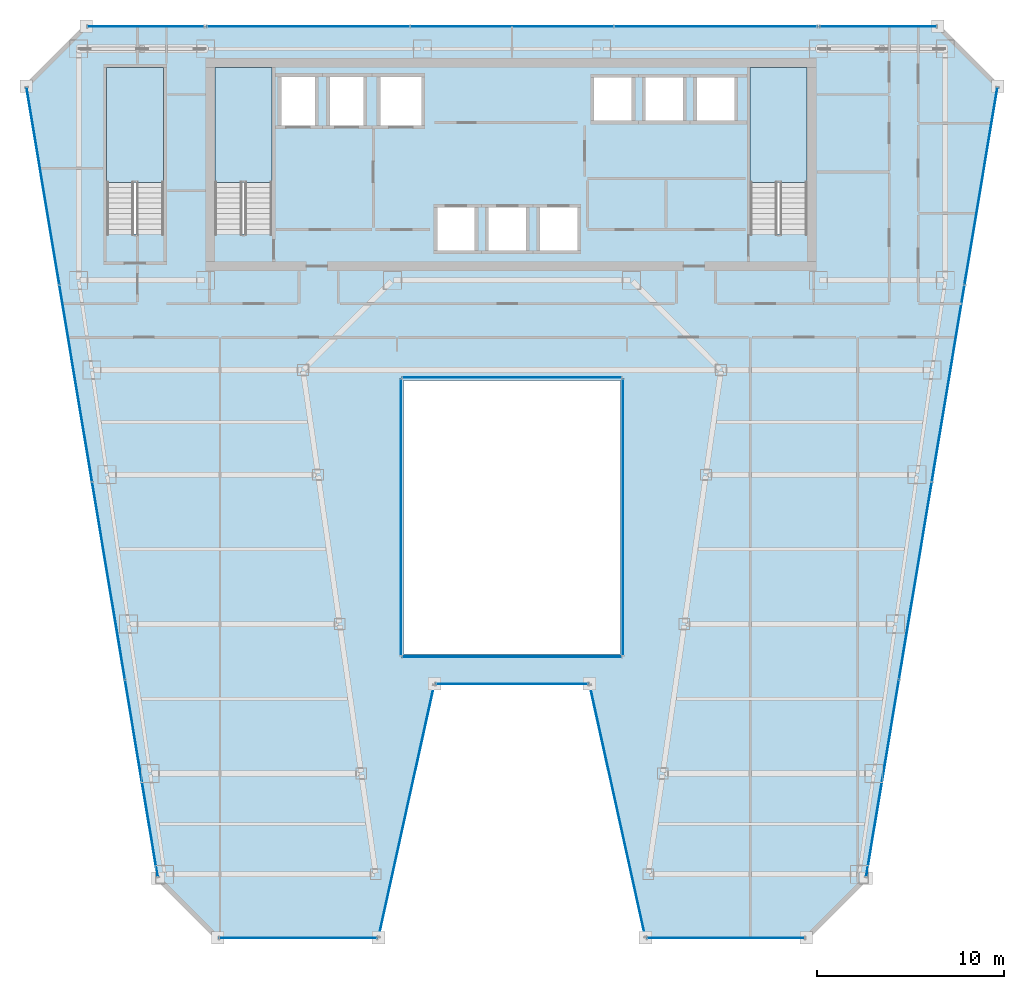
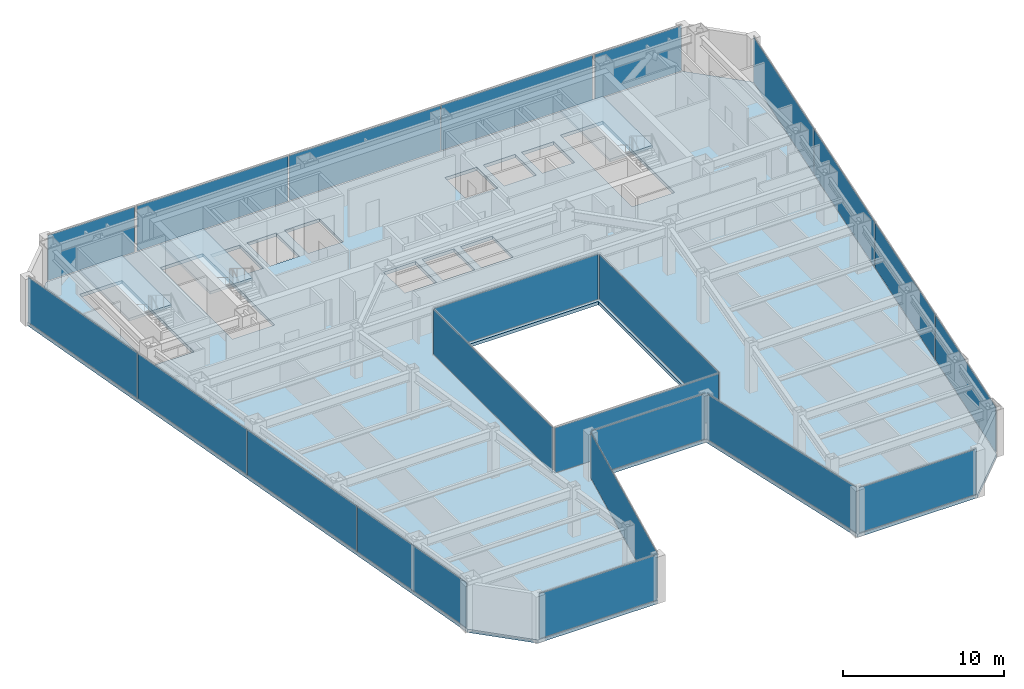
# One storey, part 29 of 36: 22 plates, 4 slabs, 17 elements without a shape of their own.
"""IFC4 building model written with IfcOpenShell, lengths in metres."""

from ifc_helpers import new_model, si_unit, direction, frame, origin, origin_2d, place, context, subcontext, project, spatial, polyline, rectangle, outline, extrude, material, layer, layer_set, type_object, element, aggregate, save


model = new_model("IFC4")

# Units and contexts
model_context = context("Model", 3, precision=1e-05, world=origin(), true_north=direction((0.0, 1.0)))
body_context = subcontext(model_context, "Body", "Model", "MODEL_VIEW")
ifc_project = project(units=[si_unit("LENGTHUNIT", "METRE"), si_unit("AREAUNIT", "SQUARE_METRE"), si_unit("VOLUMEUNIT", "CUBIC_METRE"), si_unit("PLANEANGLEUNIT", "RADIAN"), si_unit("MASSUNIT", "GRAM", prefix="KILO")], contexts=[model_context])

# Site, building, storey
site_placement = place(None, origin())
site = spatial("IfcSite", under=ifc_project, at=site_placement, CompositionType="ELEMENT")
building_placement = place(site_placement, origin())
building = spatial("IfcBuilding", under=site, at=building_placement, Name="Saevonmaru Cultural Tower", CompositionType="ELEMENT")
storey_placement = place(building_placement, frame((0.0, 0.0, 156.199951171875)))
storey = spatial("IfcBuildingStorey", under=building, at=storey_placement, Name="L34", CompositionType="ELEMENT", Elevation=156.199951171875)

# Curtain wall, plate
ifc_material_1 = material(Name="Satin Bronze Anodised Aluminium", Category="aluminium")
curtain_wall_type_1 = type_object("IfcCurtainWallType", Name="CW-ATR-GLZ", PredefinedType="NOTDEFINED", material=ifc_material_1)
curtain_wall_1_placement = place(storey_placement, origin())
curtain_wall_1 = element("IfcCurtainWall", 1, at=curtain_wall_1_placement, inside=storey, type_object=curtain_wall_type_1, Name="L34 Vertical Atrium Glazed Smoke Screen 1", PredefinedType="NOTDEFINED")
ifc_material_2 = material(Name="Fire-Rated Laminated Atrium Glass", Category="glass")
ifc_layer_1 = layer(ifc_material_2, 0.031982421875, Name="Fire-Rated Laminated Atrium Glass")
ifc_layer_set_1 = layer_set([ifc_layer_1], Name="Fire-Rated Laminated Atrium Glass")
plate_type_1 = type_object("IfcPlateType", Name="PN-GLZ-ATR-INT", PredefinedType="CURTAIN_PANEL", material=ifc_layer_set_1)
plate_1_placement = place(storey_placement, frame((30.0, 22.25, 0.067138671875), z_axis=(0.0, 0.0, 1.0), x_axis=(1.0, 0.0, 0.0)))
plate_1 = element("IfcPlate", 2, at=plate_1_placement, type_object=plate_type_1, Name="CW-ATR-L34-1 panel 1.1", PredefinedType="CURTAIN_PANEL", context=body_context, shape_type="SweptSolid", body=[
    extrude(rectangle(XDim=11.7109375, YDim=0.031982421875, at=origin_2d()), origin(), (0.0, 0.0, 1.0), 3.416015625),
])
aggregate(curtain_wall_1, [plate_1])

curtain_wall_2_placement = place(storey_placement, origin())
curtain_wall_2 = element("IfcCurtainWall", 3, at=curtain_wall_2_placement, inside=storey, type_object=curtain_wall_type_1, Name="L34 Vertical Atrium Glazed Smoke Screen 2", PredefinedType="NOTDEFINED")
plate_2_placement = place(storey_placement, frame((35.949951171875, 29.719970703125, 0.067138671875), z_axis=(0.0, 0.0, 1.0), x_axis=(0.0, 1.0, 0.0)))
plate_2 = element("IfcPlate", 4, at=plate_2_placement, type_object=plate_type_1, Name="CW-ATR-L34-2 panel 1.1", PredefinedType="CURTAIN_PANEL", context=body_context, shape_type="SweptSolid", body=[
    extrude(rectangle(XDim=14.7509765625, YDim=0.031982421875, at=origin_2d()), origin(), (0.0, 0.0, 1.0), 3.416015625),
])
aggregate(curtain_wall_2, [plate_2])

curtain_wall_3_placement = place(storey_placement, origin())
curtain_wall_3 = element("IfcCurtainWall", 5, at=curtain_wall_3_placement, inside=storey, type_object=curtain_wall_type_1, Name="L34 Vertical Atrium Glazed Smoke Screen 3", PredefinedType="NOTDEFINED")
plate_3_placement = place(storey_placement, frame((30.0, 37.18994140625, 0.067138671875), z_axis=(0.0, 0.0, 1.0), x_axis=(-1.0, 0.0, 0.0)))
plate_3 = element("IfcPlate", 6, at=plate_3_placement, type_object=plate_type_1, Name="CW-ATR-L34-3 panel 1.1", PredefinedType="CURTAIN_PANEL", context=body_context, shape_type="SweptSolid", body=[
    extrude(rectangle(XDim=11.7109375, YDim=0.031982421875, at=origin_2d()), origin(), (0.0, 0.0, 1.0), 3.416015625),
])
aggregate(curtain_wall_3, [plate_3])

curtain_wall_4_placement = place(storey_placement, origin())
curtain_wall_4 = element("IfcCurtainWall", 7, at=curtain_wall_4_placement, inside=storey, type_object=curtain_wall_type_1, Name="L34 Vertical Atrium Glazed Smoke Screen 4", PredefinedType="NOTDEFINED")
plate_4_placement = place(storey_placement, frame((24.050048828125, 29.719970703125, 0.067138671875), z_axis=(0.0, 0.0, 1.0), x_axis=(0.0, -1.0, 0.0)))
plate_4 = element("IfcPlate", 8, at=plate_4_placement, type_object=plate_type_1, Name="CW-ATR-L34-4 panel 1.1", PredefinedType="CURTAIN_PANEL", context=body_context, shape_type="SweptSolid", body=[
    extrude(rectangle(XDim=14.7509765625, YDim=0.031982421875, at=origin_2d()), origin(), (0.0, 0.0, 1.0), 3.416015625),
])
aggregate(curtain_wall_4, [plate_4])

curtain_wall_type_2 = type_object("IfcCurtainWallType", Name="CW-TYP-A", PredefinedType="NOTDEFINED", material=ifc_material_1)
curtain_wall_5_placement = place(storey_placement, origin())
curtain_wall_5 = element("IfcCurtainWall", 9, at=curtain_wall_5_placement, inside=storey, type_object=curtain_wall_type_2, Name="L34 Unitised Curtain Wall E2", PredefinedType="NOTDEFINED")
ifc_material_3 = material(Name="Triple Silver Low-E Insulating Glass", Category="glass")
ifc_layer_2 = layer(ifc_material_3, 0.035888671875, Name="Triple Silver Low-E Insulating Glass")
ifc_layer_set_2 = layer_set([ifc_layer_2], Name="Triple Silver Low-E Insulating Glass")
plate_type_2 = type_object("IfcPlateType", Name="PN-GLZ-IGU", PredefinedType="CURTAIN_PANEL", material=ifc_layer_set_2)
plate_5_placement = place(storey_placement, frame((18.548828125, 7.199951171875, 0.067138671875), z_axis=(0.0, 0.0, 1.0), x_axis=(1.0, 0.0, 0.0)))
plate_5 = element("IfcPlate", 10, at=plate_5_placement, type_object=plate_type_2, Name="CW-TW-L34-E2 panel 1.1", PredefinedType="CURTAIN_PANEL", context=body_context, shape_type="SweptSolid", body=[
    extrude(rectangle(XDim=8.410888671875, YDim=0.035888671875, at=origin_2d()), origin(), (0.0, 0.0, 1.0), 3.416015625),
])
aggregate(curtain_wall_5, [plate_5])

curtain_wall_6_placement = place(storey_placement, origin())
curtain_wall_6 = element("IfcCurtainWall", 11, at=curtain_wall_6_placement, inside=storey, type_object=curtain_wall_type_2, Name="L34 Unitised Curtain Wall E3", PredefinedType="NOTDEFINED")
plate_6_placement = place(storey_placement, frame((24.348876953125, 14.0, 0.067138671875), z_axis=(0.0, 0.0, 1.0), x_axis=(0.215413319953, 0.976522965212, 0.0)))
plate_6 = element("IfcPlate", 12, at=plate_6_placement, type_object=plate_type_2, Name="CW-TW-L34-E3 panel 1.1", PredefinedType="CURTAIN_PANEL", context=body_context, shape_type="SweptSolid", body=[
    extrude(rectangle(XDim=13.738037109375, YDim=0.035888671875, at=origin_2d()), origin(), (0.0, 0.0, 1.0), 3.416015625),
])
aggregate(curtain_wall_6, [plate_6])

curtain_wall_7_placement = place(storey_placement, origin())
curtain_wall_7 = element("IfcCurtainWall", 13, at=curtain_wall_7_placement, inside=storey, type_object=curtain_wall_type_2, Name="L34 Unitised Curtain Wall E4", PredefinedType="NOTDEFINED")
plate_7_placement = place(storey_placement, frame((30.0, 20.800048828125, 0.067138671875), z_axis=(0.0, 0.0, 1.0), x_axis=(1.0, 0.0, 0.0)))
plate_7 = element("IfcPlate", 14, at=plate_7_placement, type_object=plate_type_2, Name="CW-TW-L34-E4 panel 1.1", PredefinedType="CURTAIN_PANEL", context=body_context, shape_type="SweptSolid", body=[
    extrude(rectangle(XDim=8.11328125, YDim=0.035888671875, at=origin_2d()), origin(), (0.0, 0.0, 1.0), 3.416015625),
])
aggregate(curtain_wall_7, [plate_7])

curtain_wall_8_placement = place(storey_placement, origin())
curtain_wall_8 = element("IfcCurtainWall", 15, at=curtain_wall_8_placement, inside=storey, type_object=curtain_wall_type_2, Name="L34 Unitised Curtain Wall E5", PredefinedType="NOTDEFINED")
plate_8_placement = place(storey_placement, frame((35.651123046875, 14.0, 0.067138671875), z_axis=(0.0, 0.0, 1.0), x_axis=(0.215413319953, -0.976522965212, 0.0)))
plate_8 = element("IfcPlate", 16, at=plate_8_placement, type_object=plate_type_2, Name="CW-TW-L34-E5 panel 1.1", PredefinedType="CURTAIN_PANEL", context=body_context, shape_type="SweptSolid", body=[
    extrude(rectangle(XDim=13.738037109375, YDim=0.035888671875, at=origin_2d()), origin(), (0.0, 0.0, 1.0), 3.416015625),
])
aggregate(curtain_wall_8, [plate_8])

curtain_wall_9_placement = place(storey_placement, origin())
curtain_wall_9 = element("IfcCurtainWall", 17, at=curtain_wall_9_placement, inside=storey, type_object=curtain_wall_type_2, Name="L34 Unitised Curtain Wall E6", PredefinedType="NOTDEFINED")
plate_9_placement = place(storey_placement, frame((41.451171875, 7.199951171875, 0.067138671875), z_axis=(0.0, 0.0, 1.0), x_axis=(1.0, 0.0, 0.0)))
plate_9 = element("IfcPlate", 18, at=plate_9_placement, type_object=plate_type_2, Name="CW-TW-L34-E6 panel 1.1", PredefinedType="CURTAIN_PANEL", context=body_context, shape_type="SweptSolid", body=[
    extrude(rectangle(XDim=8.410888671875, YDim=0.035888671875, at=origin_2d()), origin(), (0.0, 0.0, 1.0), 3.416015625),
])
aggregate(curtain_wall_9, [plate_9])

# Curtain wall, plates
curtain_wall_10_placement = place(storey_placement, origin())
curtain_wall_10 = element("IfcCurtainWall", 19, at=curtain_wall_10_placement, inside=storey, type_object=curtain_wall_type_2, Name="L34 Unitised Curtain Wall E8", PredefinedType="NOTDEFINED")
plate_10_placement = place(storey_placement, frame((49.839599609375, 15.744384765625, 0.067138671875), z_axis=(0.0, 0.0, 1.0), x_axis=(0.163998702345, 0.986460554523, 0.0)))
plate_10 = element("IfcPlate", 20, at=plate_10_placement, type_object=plate_type_2, Name="CW-TW-L34-E8 panel 1.1", PredefinedType="CURTAIN_PANEL", context=body_context, shape_type="SweptSolid", body=[
    extrude(rectangle(XDim=10.646484375, YDim=0.035888671875, at=origin_2d()), origin(), (0.0, 0.0, 1.0), 3.416015625),
])
plate_11_placement = place(storey_placement, frame((51.596923828125, 26.314697265625, 0.067138671875), z_axis=(0.0, 0.0, 1.0), x_axis=(0.163998702345, 0.986460554523, 0.0)))
plate_11 = element("IfcPlate", 21, at=plate_11_placement, type_object=plate_type_2, Name="CW-TW-L34-E8 panel 2.1", PredefinedType="CURTAIN_PANEL", context=body_context, shape_type="SweptSolid", body=[
    extrude(rectangle(XDim=10.646484375, YDim=0.035888671875, at=origin_2d()), origin(), (0.0, 0.0, 1.0), 3.416015625),
])
plate_12_placement = place(storey_placement, frame((53.354248046875, 36.88525390625, 0.067138671875), z_axis=(0.0, 0.0, 1.0), x_axis=(0.163998702345, 0.986460554523, 0.0)))
plate_12 = element("IfcPlate", 22, at=plate_12_placement, type_object=plate_type_2, Name="CW-TW-L34-E8 panel 3.1", PredefinedType="CURTAIN_PANEL", context=body_context, shape_type="SweptSolid", body=[
    extrude(rectangle(XDim=10.646484375, YDim=0.035888671875, at=origin_2d()), origin(), (0.0, 0.0, 1.0), 3.416015625),
])
plate_13_placement = place(storey_placement, frame((55.111572265625, 47.45556640625, 0.067138671875), z_axis=(0.0, 0.0, 1.0), x_axis=(0.163998702345, 0.986460554523, 0.0)))
plate_13 = element("IfcPlate", 23, at=plate_13_placement, type_object=plate_type_2, Name="CW-TW-L34-E8 panel 4.1", PredefinedType="CURTAIN_PANEL", context=body_context, shape_type="SweptSolid", body=[
    extrude(rectangle(XDim=10.646484375, YDim=0.035888671875, at=origin_2d()), origin(), (0.0, 0.0, 1.0), 3.416015625),
])
aggregate(curtain_wall_10, [plate_10, plate_11, plate_12, plate_13])

curtain_wall_11_placement = place(storey_placement, origin())
curtain_wall_11 = element("IfcCurtainWall", 24, at=curtain_wall_11_placement, inside=storey, type_object=curtain_wall_type_2, Name="L34 North Spine Unitised Curtain Wall E10B", PredefinedType="NOTDEFINED")
plate_14_placement = place(storey_placement, frame((40.893310546875, 56.0, 0.067138671875), z_axis=(0.0, 0.0, 1.0), x_axis=(-1.0, 0.0, 0.0)))
plate_14 = element("IfcPlate", 25, at=plate_14_placement, type_object=plate_type_2, Name="CW-TW-L34-E10B panel 1.1", PredefinedType="CURTAIN_PANEL", context=body_context, shape_type="SweptSolid", body=[
    extrude(rectangle(XDim=10.82421875, YDim=0.035888671875, at=origin_2d()), origin(), (0.0, 0.0, 1.0), 3.416015625),
])
plate_15_placement = place(storey_placement, frame((30.0, 56.0, 0.067138671875), z_axis=(0.0, 0.0, 1.0), x_axis=(-1.0, 0.0, 0.0)))
plate_15 = element("IfcPlate", 26, at=plate_15_placement, type_object=plate_type_2, Name="CW-TW-L34-E10B panel 2.1", PredefinedType="CURTAIN_PANEL", context=body_context, shape_type="SweptSolid", body=[
    extrude(rectangle(XDim=10.82421875, YDim=0.035888671875, at=origin_2d()), origin(), (0.0, 0.0, 1.0), 3.416015625),
])
plate_16_placement = place(storey_placement, frame((19.106689453125, 56.0, 0.067138671875), z_axis=(0.0, 0.0, 1.0), x_axis=(-1.0, 0.0, 0.0)))
plate_16 = element("IfcPlate", 27, at=plate_16_placement, type_object=plate_type_2, Name="CW-TW-L34-E10B panel 3.1", PredefinedType="CURTAIN_PANEL", context=body_context, shape_type="SweptSolid", body=[
    extrude(rectangle(XDim=10.82421875, YDim=0.035888671875, at=origin_2d()), origin(), (0.0, 0.0, 1.0), 3.416015625),
])
aggregate(curtain_wall_11, [plate_14, plate_15, plate_16])

curtain_wall_12_placement = place(storey_placement, origin())
curtain_wall_12 = element("IfcCurtainWall", 28, at=curtain_wall_12_placement, inside=storey, type_object=curtain_wall_type_2, Name="L34 Unitised Curtain Wall E12", PredefinedType="NOTDEFINED")
plate_17_placement = place(storey_placement, frame((4.888427734375, 47.45556640625, 0.067138671875), z_axis=(0.0, 0.0, 1.0), x_axis=(0.163998702345, -0.986460554523, 0.0)))
plate_17 = element("IfcPlate", 29, at=plate_17_placement, type_object=plate_type_2, Name="CW-TW-L34-E12 panel 1.1", PredefinedType="CURTAIN_PANEL", context=body_context, shape_type="SweptSolid", body=[
    extrude(rectangle(XDim=10.646484375, YDim=0.035888671875, at=origin_2d()), origin(), (0.0, 0.0, 1.0), 3.416015625),
])
plate_18_placement = place(storey_placement, frame((6.645751953125, 36.88525390625, 0.067138671875), z_axis=(0.0, 0.0, 1.0), x_axis=(0.163998702345, -0.986460554523, 0.0)))
plate_18 = element("IfcPlate", 30, at=plate_18_placement, type_object=plate_type_2, Name="CW-TW-L34-E12 panel 2.1", PredefinedType="CURTAIN_PANEL", context=body_context, shape_type="SweptSolid", body=[
    extrude(rectangle(XDim=10.646484375, YDim=0.035888671875, at=origin_2d()), origin(), (0.0, 0.0, 1.0), 3.416015625),
])
plate_19_placement = place(storey_placement, frame((8.403076171875, 26.314697265625, 0.067138671875), z_axis=(0.0, 0.0, 1.0), x_axis=(0.163998702345, -0.986460554523, 0.0)))
plate_19 = element("IfcPlate", 31, at=plate_19_placement, type_object=plate_type_2, Name="CW-TW-L34-E12 panel 3.1", PredefinedType="CURTAIN_PANEL", context=body_context, shape_type="SweptSolid", body=[
    extrude(rectangle(XDim=10.646484375, YDim=0.035888671875, at=origin_2d()), origin(), (0.0, 0.0, 1.0), 3.416015625),
])
plate_20_placement = place(storey_placement, frame((10.160400390625, 15.744384765625, 0.067138671875), z_axis=(0.0, 0.0, 1.0), x_axis=(0.163998702345, -0.986460554523, 0.0)))
plate_20 = element("IfcPlate", 32, at=plate_20_placement, type_object=plate_type_2, Name="CW-TW-L34-E12 panel 4.1", PredefinedType="CURTAIN_PANEL", context=body_context, shape_type="SweptSolid", body=[
    extrude(rectangle(XDim=10.646484375, YDim=0.035888671875, at=origin_2d()), origin(), (0.0, 0.0, 1.0), 3.416015625),
])
aggregate(curtain_wall_12, [plate_17, plate_18, plate_19, plate_20])

# Curtain wall, plate
curtain_wall_13_placement = place(storey_placement, origin())
curtain_wall_13 = element("IfcCurtainWall", 33, at=curtain_wall_13_placement, inside=storey, type_object=curtain_wall_type_2, Name="L34 East Braced Bay Spandrel Curtain Wall E10A", PredefinedType="NOTDEFINED")
ifc_material_4 = material(Name="Insulated Satin Bronze Aluminium Spandrel Panel", Category="aluminium")
ifc_layer_3 = layer(ifc_material_4, 0.0400390625, Name="Insulated Satin Bronze Aluminium Spandrel Panel")
ifc_layer_set_3 = layer_set([ifc_layer_3], Name="Insulated Satin Bronze Aluminium Spandrel Panel")
plate_type_3 = type_object("IfcPlateType", Name="PN-SPANDREL-BRONZE", PredefinedType="CURTAIN_PANEL", material=ifc_layer_set_3)
plate_21_placement = place(storey_placement, frame((49.60009765625, 56.0, 0.067138671875), z_axis=(0.0, 0.0, 1.0), x_axis=(-1.0, 0.0, 0.0)))
plate_21 = element("IfcPlate", 34, at=plate_21_placement, type_object=plate_type_3, Name="CW-TW-L34-E10A panel 1.1", PredefinedType="CURTAIN_PANEL", context=body_context, shape_type="SweptSolid", body=[
    extrude(rectangle(XDim=6.2109375, YDim=0.035888671875, at=origin_2d()), origin(), (0.0, 0.0, 1.0), 3.416015625),
])
aggregate(curtain_wall_13, [plate_21])

curtain_wall_14_placement = place(storey_placement, origin())
curtain_wall_14 = element("IfcCurtainWall", 35, at=curtain_wall_14_placement, inside=storey, type_object=curtain_wall_type_2, Name="L34 West Braced Bay Spandrel Curtain Wall E10C", PredefinedType="NOTDEFINED")
plate_22_placement = place(storey_placement, frame((10.39990234375, 56.0, 0.067138671875), z_axis=(0.0, 0.0, 1.0), x_axis=(-1.0, 0.0, 0.0)))
plate_22 = element("IfcPlate", 36, at=plate_22_placement, type_object=plate_type_3, Name="CW-TW-L34-E10C panel 1.1", PredefinedType="CURTAIN_PANEL", context=body_context, shape_type="SweptSolid", body=[
    extrude(rectangle(XDim=6.2109375, YDim=0.035888671875, at=origin_2d()), origin(), (0.0, 0.0, 1.0), 3.416015625),
])
aggregate(curtain_wall_14, [plate_22])

# Slab
ifc_material_5 = material(Name="Concrete C40/50", Category="concrete")
ifc_layer_4 = layer(ifc_material_5, 0.25, Name="Concrete C40/50")
ifc_layer_set_4 = layer_set([ifc_layer_4], Name="Concrete C40/50")
slab_type_1 = type_object("IfcSlabType", Name="SL-FLR-250", PredefinedType="FLOOR", material=ifc_layer_set_4)
slab_1_placement = place(storey_placement, frame((0.0, 0.0, -0.25)))
element("IfcSlab", 37, at=slab_1_placement, inside=storey, type_object=slab_type_1, Name="L34 Tower Structural Floor Slab", PredefinedType="FLOOR", context=body_context, shape_type="SweptSolid", body=[
    extrude(outline(polyline([(11.048828125, 10.39990234375), (14.248779296875, 7.199951171875), (22.848876953125, 7.199951171875), (25.848876953125, 20.800048828125), (34.151123046875, 20.800048828125), (37.151123046875, 7.199951171875), (45.751220703125, 7.199951171875), (48.951171875, 10.39990234375), (56.0, 52.800048828125), (52.800048828125, 56.0), (7.199951171875, 56.0), (4.0, 52.800048828125), (11.048828125, 10.39990234375)]), holes=[polyline([(45.800048828125, 44.875), (42.75, 44.875), (42.75, 53.800048828125), (45.800048828125, 53.800048828125), (45.800048828125, 44.875)]), polyline([(39.75, 50.800048828125), (39.75, 53.39990234375), (42.050048828125, 53.39990234375), (42.050048828125, 50.800048828125), (39.75, 50.800048828125)]), polyline([(37.0, 50.800048828125), (37.0, 53.39990234375), (39.300048828125, 53.39990234375), (39.300048828125, 50.800048828125), (37.0, 50.800048828125)]), polyline([(34.25, 50.800048828125), (34.25, 53.39990234375), (36.550048828125, 53.39990234375), (36.550048828125, 50.800048828125), (34.25, 50.800048828125)]), polyline([(24.199951171875, 22.39990234375), (24.199951171875, 37.0400390625), (35.800048828125, 37.0400390625), (35.800048828125, 22.39990234375), (24.199951171875, 22.39990234375)]), polyline([(31.35009765625, 43.85009765625), (31.35009765625, 46.449951171875), (33.64990234375, 46.449951171875), (33.64990234375, 43.85009765625), (31.35009765625, 43.85009765625)]), polyline([(28.60009765625, 43.85009765625), (28.60009765625, 46.449951171875), (30.89990234375, 46.449951171875), (30.89990234375, 43.85009765625), (28.60009765625, 43.85009765625)]), polyline([(28.14990234375, 43.85009765625), (25.85009765625, 43.85009765625), (25.85009765625, 46.449951171875), (28.14990234375, 46.449951171875), (28.14990234375, 43.85009765625)]), polyline([(25.300048828125, 50.550048828125), (22.800048828125, 50.550048828125), (22.800048828125, 53.449951171875), (25.300048828125, 53.449951171875), (25.300048828125, 50.550048828125)]), polyline([(20.10009765625, 50.550048828125), (20.10009765625, 53.449951171875), (22.199951171875, 53.449951171875), (22.199951171875, 50.550048828125), (20.10009765625, 50.550048828125)]), polyline([(17.5, 50.550048828125), (17.5, 53.449951171875), (19.60009765625, 53.449951171875), (19.60009765625, 50.550048828125), (17.5, 50.550048828125)]), polyline([(17.14990234375, 53.800048828125), (17.14990234375, 44.875), (14.10009765625, 44.875), (14.10009765625, 53.800048828125), (17.14990234375, 53.800048828125)]), polyline([(11.35009765625, 44.875), (8.300048828125, 44.875), (8.300048828125, 53.800048828125), (11.35009765625, 53.800048828125), (11.35009765625, 44.875)])]), origin(), (0.0, 0.0, 1.0), 0.25),
])

# Stair, slab
stair_type = type_object("IfcStairType", Name="STR-DOGLEG-RC", PredefinedType="HALF_TURN_STAIR", material=ifc_material_5)
stair_1_placement = place(storey_placement, origin())
stair_1 = element("IfcStair", 38, at=stair_1_placement, inside=storey, type_object=stair_type, Name="L34 Protected exit stair ST-1", PredefinedType="HALF_TURN_STAIR")
ifc_layer_5 = layer(ifc_material_5, 0.199951171875, Name="Concrete C40/50")
ifc_layer_set_5 = layer_set([ifc_layer_5], Name="Concrete C40/50")
slab_type_2 = type_object("IfcSlabType", Name="SL-STAIR-LANDING", PredefinedType="LANDING", material=ifc_layer_set_5)
slab_2_placement = place(storey_placement, frame((0.0, 0.0, 1.699951171875)))
slab_2 = element("IfcSlab", 39, at=slab_2_placement, type_object=slab_type_2, Name="ST-1-L34 landing 1", PredefinedType="LANDING", context=body_context, shape_type="SweptSolid", body=[
    extrude(outline(polyline([(17.14990234375, 47.64990234375), (17.14990234375, 53.800048828125), (14.10009765625, 53.800048828125), (14.10009765625, 47.64990234375), (17.14990234375, 47.64990234375)])), origin(), (0.0, 0.0, 1.0), 0.2001953125),
])
aggregate(stair_1, [slab_2])

stair_2_placement = place(storey_placement, origin())
stair_2 = element("IfcStair", 40, at=stair_2_placement, inside=storey, type_object=stair_type, Name="L34 Protected exit stair ST-2", PredefinedType="HALF_TURN_STAIR")
slab_3_placement = place(storey_placement, frame((0.0, 0.0, 1.699951171875)))
slab_3 = element("IfcSlab", 41, at=slab_3_placement, type_object=slab_type_2, Name="ST-2-L34 landing 1", PredefinedType="LANDING", context=body_context, shape_type="SweptSolid", body=[
    extrude(outline(polyline([(45.800048828125, 47.64990234375), (45.800048828125, 53.800048828125), (42.75, 53.800048828125), (42.75, 47.64990234375), (45.800048828125, 47.64990234375)])), origin(), (0.0, 0.0, 1.0), 0.2001953125),
])
aggregate(stair_2, [slab_3])

stair_3_placement = place(storey_placement, origin())
stair_3 = element("IfcStair", 42, at=stair_3_placement, inside=storey, type_object=stair_type, Name="L34 Protected exit stair ST-3", PredefinedType="HALF_TURN_STAIR")
slab_4_placement = place(storey_placement, frame((0.0, 0.0, 1.699951171875)))
slab_4 = element("IfcSlab", 43, at=slab_4_placement, type_object=slab_type_2, Name="ST-3-L34 landing 1", PredefinedType="LANDING", context=body_context, shape_type="SweptSolid", body=[
    extrude(outline(polyline([(11.35009765625, 47.64990234375), (11.35009765625, 53.800048828125), (8.300048828125, 53.800048828125), (8.300048828125, 47.64990234375), (11.35009765625, 47.64990234375)])), origin(), (0.0, 0.0, 1.0), 0.2001953125),
])
aggregate(stair_3, [slab_4])

save(model, "model.ifc")
